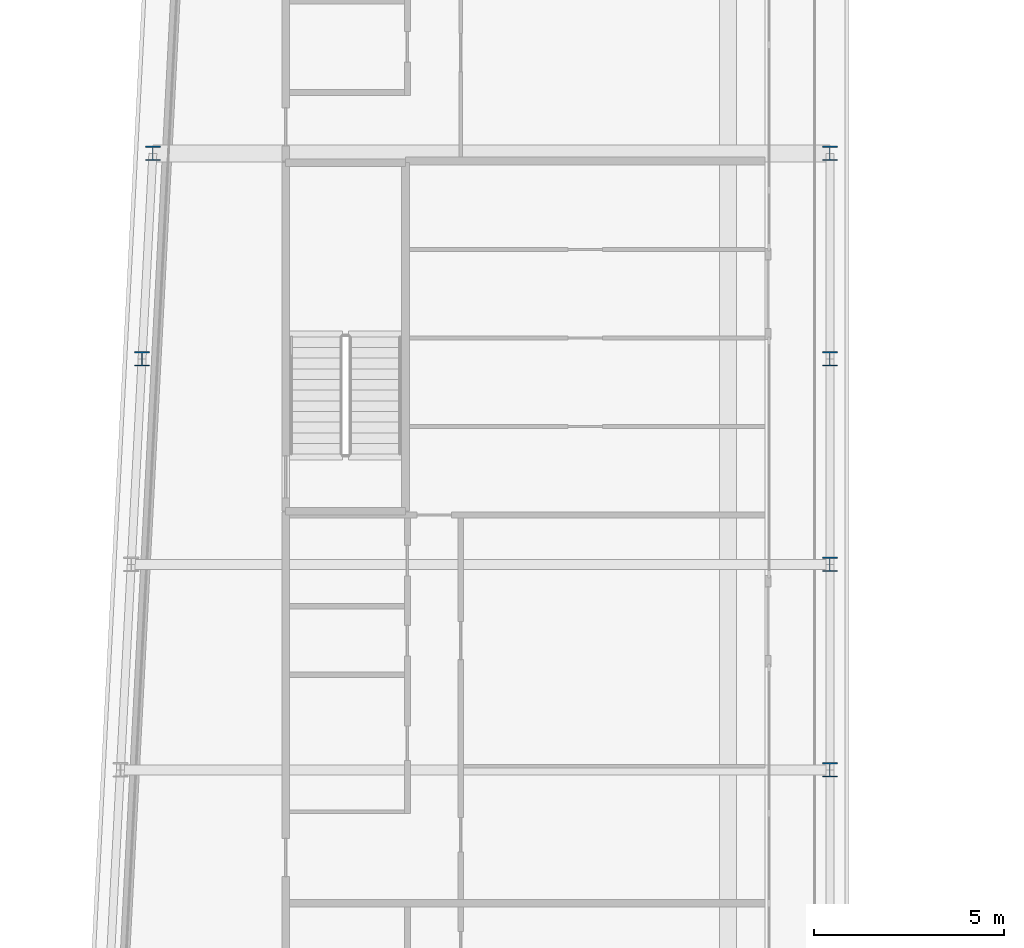
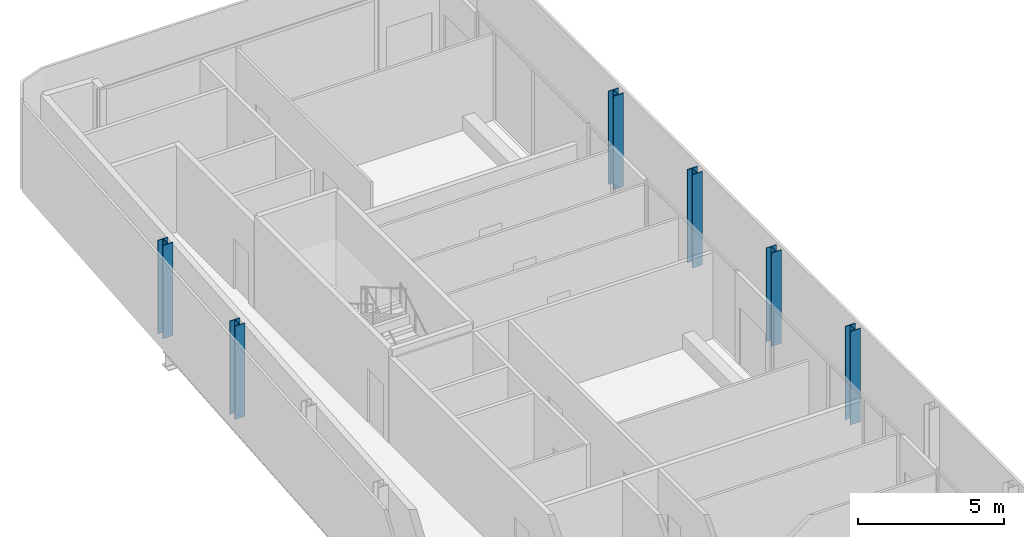
# One storey, part 4 of 21: 6 columns.
"""IFC4 building model written with IfcOpenShell, lengths in metres."""

from ifc_helpers import new_model, si_unit, direction, frame, origin, origin_2d, place, context, subcontext, project, spatial, i_section, extrude, material, material_profile, profile_set, type_object, element, save


model = new_model("IFC4")

# Units and contexts
model_context = context("Model", 3, precision=1e-05, world=origin(), true_north=direction((0.0, 1.0)))
body_context = subcontext(model_context, "Body", "Model", "MODEL_VIEW")
ifc_project = project(units=[si_unit("LENGTHUNIT", "METRE"), si_unit("AREAUNIT", "SQUARE_METRE"), si_unit("VOLUMEUNIT", "CUBIC_METRE"), si_unit("PLANEANGLEUNIT", "RADIAN"), si_unit("MASSUNIT", "GRAM", prefix="KILO")], contexts=[model_context])

# Site, building, storey
site_placement = place(None, origin())
site = spatial("IfcSite", under=ifc_project, at=site_placement, CompositionType="ELEMENT")
building_placement = place(site_placement, origin())
building = spatial("IfcBuilding", under=site, at=building_placement, Name="Kheshtan School and Residences Tower", CompositionType="ELEMENT")
storey_placement = place(building_placement, frame((0.0, 0.0, 305.89990234375)))
storey = spatial("IfcBuildingStorey", under=building, at=storey_placement, Name="L72", CompositionType="ELEMENT", Elevation=305.89990234375)

# Columns
ifc_material = material(Name="Steel ASTM A992 Grade 50", Category="steel")
ifc_material_profile = material_profile(ifc_material, i_section(OverallWidth=0.39501953125, OverallDepth=0.3798828125, WebThickness=0.018798828125, FlangeThickness=0.0302734375, FilletRadius=0.011474609375, at=origin_2d()), Name="W360x237")
ifc_profile_set = profile_set([ifc_material_profile], Name="Steel ASTM A992 Grade 50")
column_type = type_object("IfcColumnType", Name="Column C5 W360x237 ASTM A992 Grade 50", PredefinedType="COLUMN", material=ifc_profile_set)
for number, where, z_axis, x_axis, name in (
    (1, (47.60009765625, 72.60009765625, 0.0), (0.0, 0.0, 1.0), (1.0, 0.0, 0.0), "Column C087"),
    (2, (47.60009765625, 78.0, 0.0), (0.0, 0.0, 1.0), (1.0, 0.0, 0.0), "Column C089"),
    (3, (29.527099609375, 83.39990234375, 0.0), (0.0, 0.0, 1.0), (1.0, 0.0, 0.0), "Column C090"),
    (4, (47.60009765625, 83.39990234375, 0.0), (0.0, 0.0, 1.0), (1.0, 0.0, 0.0), "Column C091"),
    (5, (29.81103515625, 88.800048828125, 0.0), (0.0, 0.0, 1.0), (1.0, 0.0, 0.0), "Column C098"),
    (6, (47.60009765625, 88.800048828125, 0.0), (0.0, 0.0, 1.0), (1.0, 0.0, 0.0), "Column C099"),
):
    element("IfcColumn", number, at=place(storey_placement, frame(where, z_axis=z_axis, x_axis=x_axis)), inside=storey, type_object=column_type, Name=name, PredefinedType="COLUMN", context=body_context, shape_type="SweptSolid", body=[
        extrude(i_section(OverallWidth=0.39501953125, OverallDepth=0.3798828125, WebThickness=0.018798828125, FlangeThickness=0.0302734375, FilletRadius=0.011474609375, at=origin_2d()), origin(), (0.0, 0.0, 1.0), 3.900146484375),
    ])

save(model, "model.ifc")
